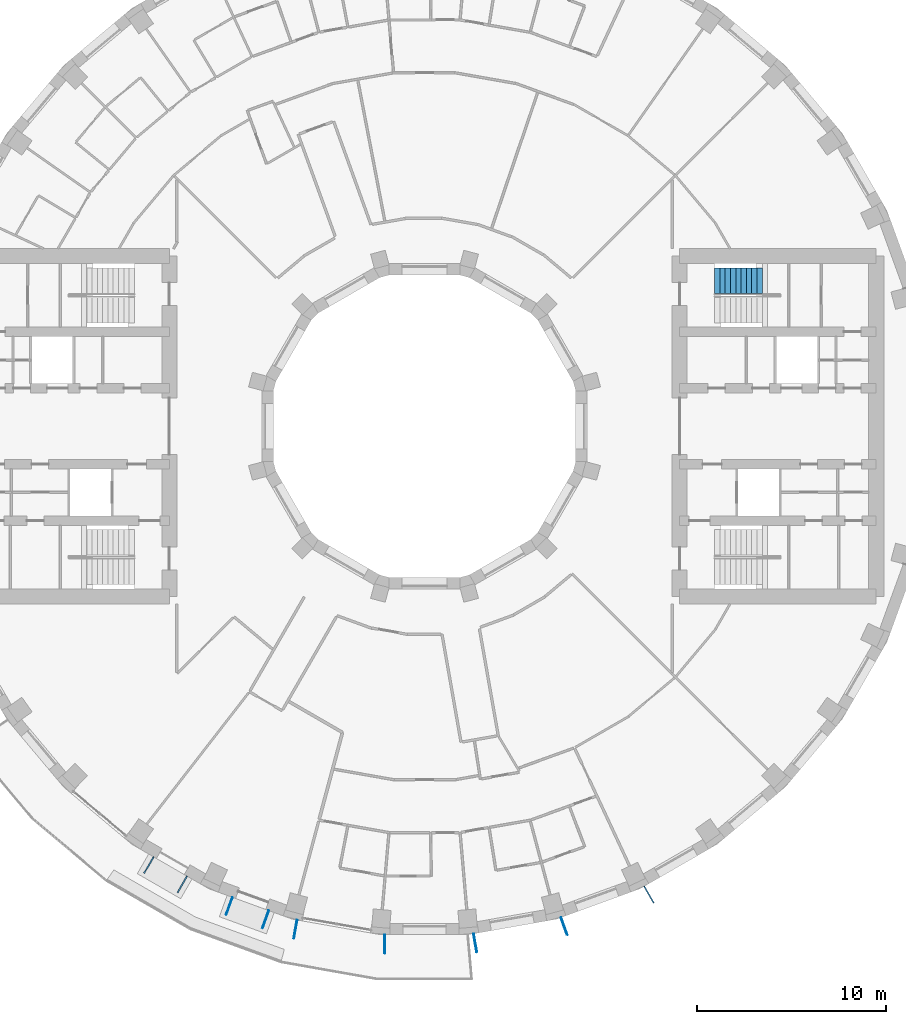
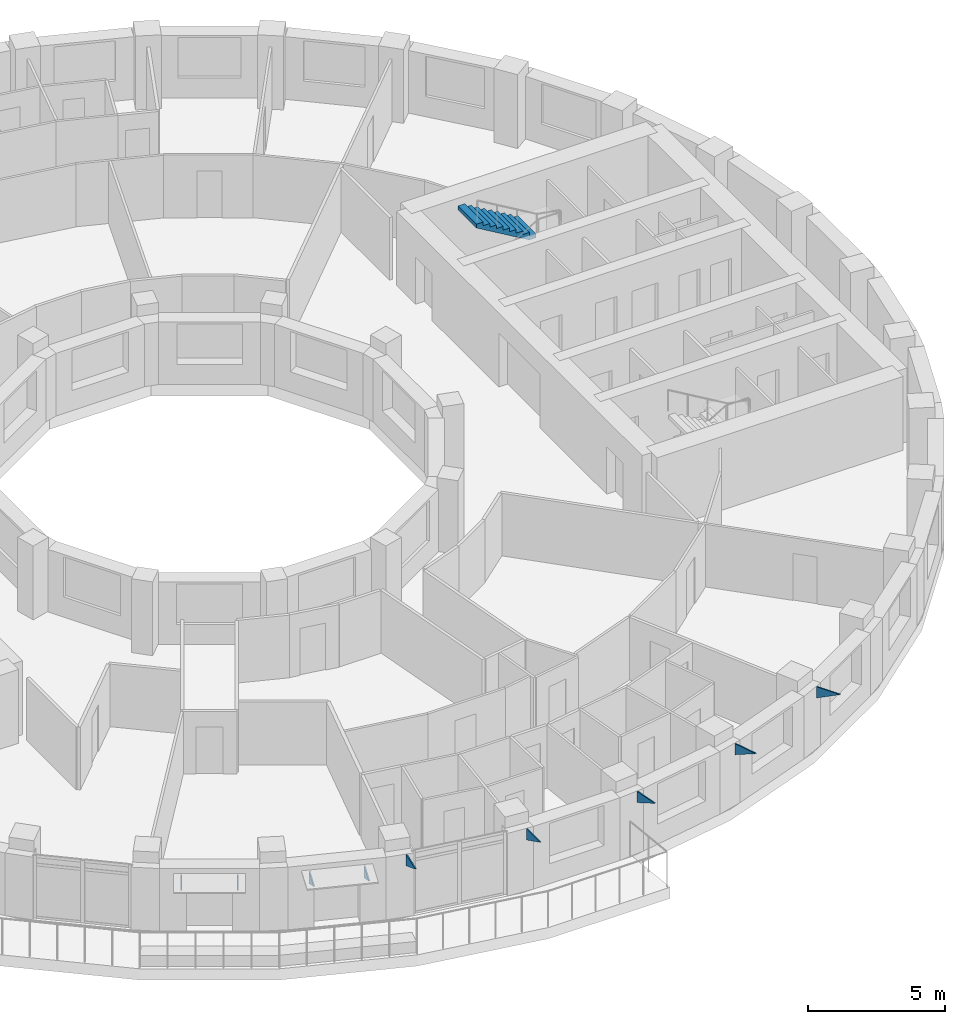
# One storey, part 13 of 14: 9 discrete accessories, 1 stair flight, 1 element without a shape of its own.
"""IFC4 building model written with IfcOpenShell, lengths in metres."""

from ifc_helpers import new_model, si_unit, direction, frame, origin, place, context, subcontext, project, spatial, polyline, outline, extrude, material, layer, layer_set, type_object, element, aggregate, save


model = new_model("IFC4")

# Units and contexts
model_context = context("Model", 3, precision=1e-05, world=origin(), true_north=direction((0.0, 1.0)))
body_context = subcontext(model_context, "Body", "Model", "MODEL_VIEW")
ifc_project = project(units=[si_unit("LENGTHUNIT", "METRE"), si_unit("AREAUNIT", "SQUARE_METRE"), si_unit("VOLUMEUNIT", "CUBIC_METRE"), si_unit("PLANEANGLEUNIT", "RADIAN"), si_unit("MASSUNIT", "GRAM", prefix="KILO")], contexts=[model_context])

# Site, building, storey
site_placement = place(None, origin())
site = spatial("IfcSite", under=ifc_project, at=site_placement, CompositionType="ELEMENT")
building_placement = place(site_placement, origin())
building = spatial("IfcBuilding", under=site, at=building_placement, Name="Saqina Gate Tower", CompositionType="ELEMENT")
storey_placement = place(building_placement, frame((0.0, 0.0, 138.10009765625)))
storey = spatial("IfcBuildingStorey", under=building, at=storey_placement, Name="L39", CompositionType="ELEMENT", Elevation=138.10009765625)

# Stair, stair flight
ifc_material_1 = material(Name="Concrete C40/50", Category="concrete")
stair_type = type_object("IfcStairType", Name="EXIT STAIR", PredefinedType="HALF_TURN_STAIR", material=ifc_material_1)
stair_placement = place(storey_placement, origin())
stair = element("IfcStair", 1, at=stair_placement, inside=storey, type_object=stair_type, Name="EXIT STAIR 1", PredefinedType="HALF_TURN_STAIR")
ifc_material_2 = material(Name="Concrete C40/50", Category="concrete")
stair_flight_type = type_object("IfcStairFlightType", Name="EXIT STAIR FLIGHT", PredefinedType="STRAIGHT", material=ifc_material_2)
stair_flight_placement = place(storey_placement, frame((17.8701171875, 7.708251953125, 1.64990234375), z_axis=(0.0, 0.0, 1.0), x_axis=(-1.0, 0.0, 0.0)))
stair_flight = element("IfcStairFlight", 2, at=stair_flight_placement, type_object=stair_flight_type, Name="EXIT STAIR 1 FLIGHT 2", NumberOfRisers=10, NumberOfTreads=9, PredefinedType="STRAIGHT", RiserHeight=0.165, TreadLength=0.28, context=body_context, shape_type="SweptSolid", body=[
    extrude(outline(polyline([(0.0, 0.0), (0.0, 0.1650390625), (0.280029296875, 0.1650390625), (0.280029296875, 0.330078125), (0.56005859375, 0.330078125), (0.56005859375, 0.4951171875), (0.840087890625, 0.4951171875), (0.840087890625, 0.659912109375), (1.1201171875, 0.659912109375), (1.1201171875, 0.824951171875), (1.39990234375, 0.824951171875), (1.39990234375, 0.989990234375), (1.679931640625, 0.989990234375), (1.679931640625, 1.155029296875), (1.9599609375, 1.155029296875), (1.9599609375, 1.320068359375), (2.239990234375, 1.320068359375), (2.239990234375, 1.485107421875), (2.52001953125, 1.485107421875), (2.52001953125, 1.64990234375), (2.52001953125, 1.31103515625), (0.295166015625, 0.0), (0.0, 0.0)])), frame((0.0, 0.675048828125, 0.0), z_axis=(0.0, -1.0, 0.0), x_axis=(1.0, 0.0, 0.0)), (0.0, 0.0, 1.0), 1.35009765625),
])
aggregate(stair, [stair_flight])

# Discrete accessories
ifc_material_3 = material(Name="Galvanised steel", Category="steel")
ifc_layer_1 = layer(ifc_material_3, 0.050048828125)
ifc_layer_set_1 = layer_set([ifc_layer_1], Name="BR-AWNING")
discrete_accessory_type_1 = type_object("IfcDiscreteAccessoryType", Name="BR-AWNING", PredefinedType="BRACKET", material=ifc_layer_set_1)
discrete_accessory_1_placement = place(storey_placement, frame((-14.313720703125, -22.794189453125, 1.974853515625), z_axis=(0.866071776036, -0.499919672301, 0.0), x_axis=(0.0, 0.0, 1.0)))
element("IfcDiscreteAccessory", 3, at=discrete_accessory_1_placement, inside=storey, type_object=discrete_accessory_type_1, Name="Awning bracket L39 facet 24", PredefinedType="BRACKET", context=body_context, shape_type="SweptSolid", body=[
    extrude(outline(polyline([(0.0, 0.0), (0.550048828125, 0.0), (0.550048828125, 1.0001606812130883), (0.0, 0.0)])), origin(), (0.0, 0.0, -1.0), 0.050048828125),
])
discrete_accessory_2_placement = place(storey_placement, frame((-12.540283203125, -23.818115234375, 1.974853515625), z_axis=(0.866010750942, -0.50002537861, 0.0), x_axis=(0.0, 0.0, 1.0)))
element("IfcDiscreteAccessory", 4, at=discrete_accessory_2_placement, inside=storey, type_object=discrete_accessory_type_1, Name="Awning bracket L39 facet 24", PredefinedType="BRACKET", context=body_context, shape_type="SweptSolid", body=[
    extrude(outline(polyline([(0.0, 0.0), (0.550048828125, 0.0), (0.550048828125, 0.9999492453569568), (0.0, 0.0)])), origin(), (0.0, 0.0, -1.0), 0.050048828125),
])
discrete_accessory_3_placement = place(storey_placement, frame((-10.13818359375, -24.93359375, 1.974853515625), z_axis=(0.939764905391, -0.341821477669, 0.0), x_axis=(0.0, 0.0, 1.0)))
element("IfcDiscreteAccessory", 5, at=discrete_accessory_3_placement, inside=storey, type_object=discrete_accessory_type_1, Name="Awning bracket L39 facet 25", PredefinedType="BRACKET", context=body_context, shape_type="SweptSolid", body=[
    extrude(outline(polyline([(0.0, 0.0), (0.550048828125, 0.0), (0.550048828125, 0.9999280248012192), (0.0, 0.0)])), origin(), (0.0, 0.0, -1.0), 0.050048828125),
])
discrete_accessory_4_placement = place(storey_placement, frame((-8.2138671875, -25.6337890625, 1.974853515625), z_axis=(0.939686455819, -0.342037080957, 0.0), x_axis=(0.0, 0.0, 1.0)))
element("IfcDiscreteAccessory", 6, at=discrete_accessory_4_placement, inside=storey, type_object=discrete_accessory_type_1, Name="Awning bracket L39 facet 25", PredefinedType="BRACKET", context=body_context, shape_type="SweptSolid", body=[
    extrude(outline(polyline([(0.0, 0.0), (0.550048828125, 0.0), (0.550048828125, 1.000011503630275), (0.0, 0.0)])), origin(), (0.0, 0.0, -1.0), 0.050048828125),
])
ifc_material_4 = material(Name="Galvanised steel", Category="steel")
ifc_layer_2 = layer(ifc_material_4, 0.050048828125)
ifc_layer_set_2 = layer_set([ifc_layer_2], Name="BR-GUSSET")
discrete_accessory_type_2 = type_object("IfcDiscreteAccessoryType", Name="BR-GUSSET", PredefinedType="BRACKET", material=ifc_layer_set_2)
discrete_accessory_5_placement = place(storey_placement, frame((-6.71728515625, -26.127685546875, 2.2998046875), z_axis=(0.984820401928, -0.173576426815, 0.0), x_axis=(0.0, 0.0, 1.0)))
element("IfcDiscreteAccessory", 7, at=discrete_accessory_5_placement, inside=storey, type_object=discrete_accessory_type_2, Name="Terrace slab bracket L40 1", PredefinedType="BRACKET", context=body_context, shape_type="SweptSolid", body=[
    extrude(outline(polyline([(0.0, 0.0), (0.5, 0.0), (0.5, 1.000043540245132), (0.0, 0.0)])), origin(), (0.0, 0.0, -1.0), 0.050048828125),
])
discrete_accessory_6_placement = place(storey_placement, frame((-2.078125, -26.897216796875, 2.2998046875), z_axis=(1.0, 0.0, 0.0), x_axis=(0.0, 0.0, 1.0)))
element("IfcDiscreteAccessory", 8, at=discrete_accessory_6_placement, inside=storey, type_object=discrete_accessory_type_2, Name="Terrace slab bracket L40 2", PredefinedType="BRACKET", context=body_context, shape_type="SweptSolid", body=[
    extrude(outline(polyline([(0.0, 0.0), (0.5, 0.0), (0.5, 1.0), (0.0, 0.0)])), origin(), (0.0, 0.0, -1.0), 0.050048828125),
])
discrete_accessory_7_placement = place(storey_placement, frame((2.6240234375, -26.849609375, 2.2998046875), z_axis=(0.984813043937, 0.173618168668, 0.0), x_axis=(0.0, 0.0, 1.0)))
element("IfcDiscreteAccessory", 9, at=discrete_accessory_7_placement, inside=storey, type_object=discrete_accessory_type_2, Name="Terrace slab bracket L40 3", PredefinedType="BRACKET", context=body_context, shape_type="SweptSolid", body=[
    extrude(outline(polyline([(0.0, 0.0), (0.5, 0.0), (0.5, 0.9998031064747768), (0.0, 0.0)])), origin(), (0.0, 0.0, -1.0), 0.050048828125),
])
discrete_accessory_8_placement = place(storey_placement, frame((7.24658203125, -25.98583984375, 2.2998046875), z_axis=(0.939764905391, 0.341821477669, 0.0), x_axis=(0.0, 0.0, 1.0)))
element("IfcDiscreteAccessory", 10, at=discrete_accessory_8_placement, inside=storey, type_object=discrete_accessory_type_2, Name="Terrace slab bracket L40 4", PredefinedType="BRACKET", context=body_context, shape_type="SweptSolid", body=[
    extrude(outline(polyline([(0.0, 0.0), (0.5, 0.0), (0.5, 0.999928024801219), (0.0, 0.0)])), origin(), (0.0, 0.0, -1.0), 0.050048828125),
])
discrete_accessory_9_placement = place(storey_placement, frame((11.648681640625, -24.332763671875, 2.2998046875), z_axis=(0.866010750942, 0.50002537861, 0.0), x_axis=(0.0, 0.0, 1.0)))
element("IfcDiscreteAccessory", 11, at=discrete_accessory_9_placement, inside=storey, type_object=discrete_accessory_type_2, Name="Terrace slab bracket L40 5", PredefinedType="BRACKET", context=body_context, shape_type="SweptSolid", body=[
    extrude(outline(polyline([(0.0, 0.0), (0.5, 0.0), (0.5, 0.9999492453569568), (0.0, 0.0)])), origin(), (0.0, 0.0, -1.0), 0.050048828125),
])

save(model, "model.ifc")
